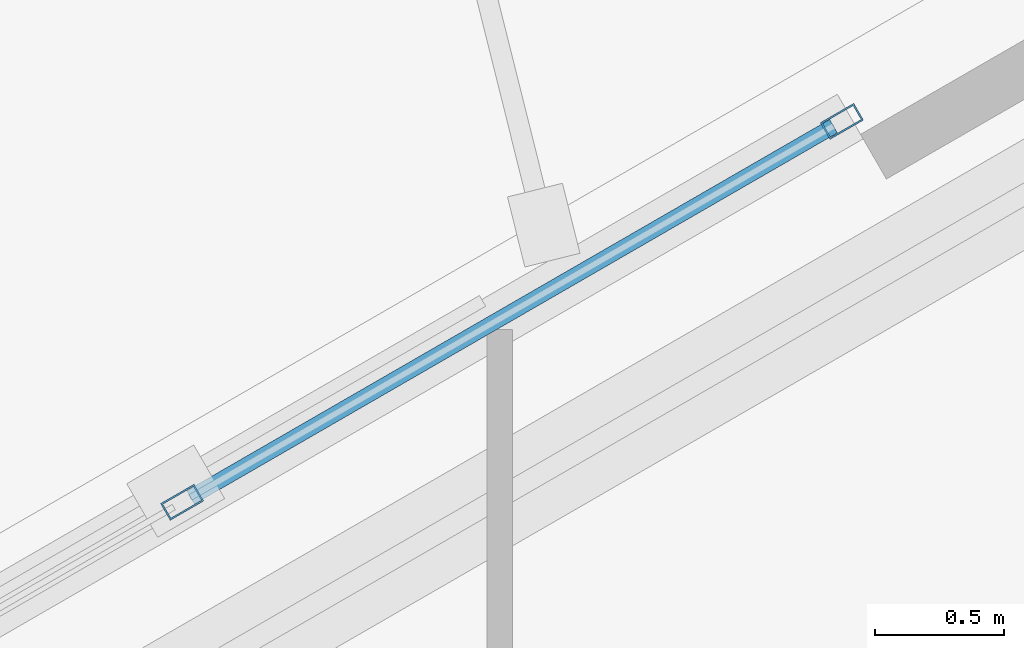
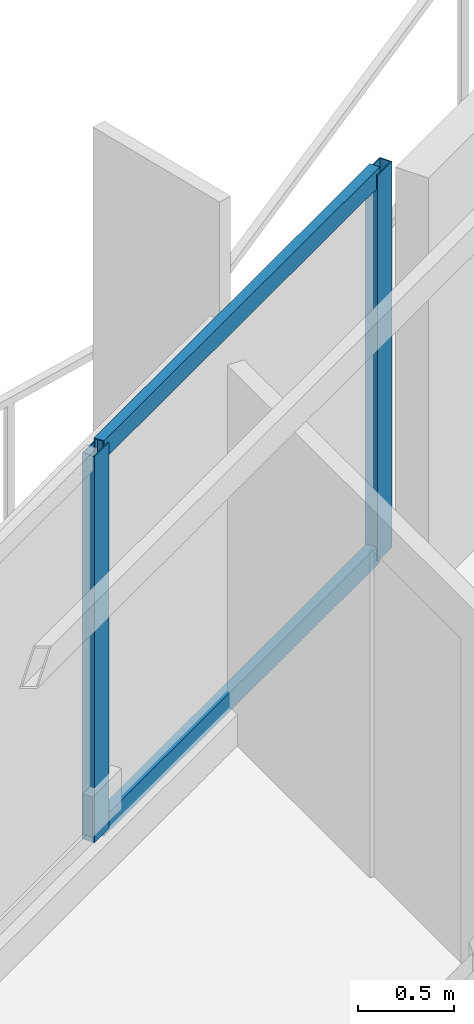
# One storey, part 9 of 18: 4 members, 1 element without a shape of its own.
"""IFC4 building model written with IfcOpenShell, lengths in metres."""

from ifc_helpers import new_model, si_unit, direction, frame, origin, origin_2d, place, context, subcontext, project, spatial, hollow_rectangle, extrude, material, layer, layer_set, material_profile, profile_set, type_object, element, aggregate, save


model = new_model("IFC4")

# Units and contexts
model_context = context("Model", 3, precision=1e-05, world=origin(), true_north=direction((0.0, 1.0)))
body_context = subcontext(model_context, "Body", "Model", "MODEL_VIEW")
ifc_project = project(units=[si_unit("LENGTHUNIT", "METRE"), si_unit("AREAUNIT", "SQUARE_METRE"), si_unit("VOLUMEUNIT", "CUBIC_METRE"), si_unit("PLANEANGLEUNIT", "RADIAN"), si_unit("MASSUNIT", "GRAM", prefix="KILO")], contexts=[model_context])

# Site, building, storey
site_placement = place(None, origin())
site = spatial("IfcSite", under=ifc_project, at=site_placement, CompositionType="ELEMENT")
building_placement = place(site_placement, origin())
building = spatial("IfcBuilding", under=site, at=building_placement, Name="Mersakhor Tower and Convention Hall", CompositionType="ELEMENT")
storey_placement = place(building_placement, frame((0.0, 0.0, 32.39990234375)))
storey = spatial("IfcBuildingStorey", under=building, at=storey_placement, Name="L08", CompositionType="ELEMENT", Elevation=32.39990234375)

# Curtain wall, members
ifc_material_1 = material(Name="Dark solar low-E aluminium curtain wall", Category="aluminium")
ifc_layer = layer(ifc_material_1, 0.159912109375)
ifc_layer_set = layer_set([ifc_layer], Name="Dark solar low-E aluminium curtain wall")
curtain_wall_type = type_object("IfcCurtainWallType", Name="CW-SYS-01", PredefinedType="USERDEFINED", material=ifc_layer_set)
curtain_wall_placement = place(storey_placement, origin())
curtain_wall = element("IfcCurtainWall", 1, at=curtain_wall_placement, inside=storey, type_object=curtain_wall_type, Name="L08 Dark-Glass Curtain Wall F1-B2", ObjectType="CURTAIN WALL", PredefinedType="USERDEFINED")
ifc_material_2 = material(Name="Anodised aluminium EN AW-6063 T6", Category="aluminium")
ifc_material_profile_1 = material_profile(ifc_material_2, hollow_rectangle(XDim=0.074951171875, YDim=0.14990234375, WallThickness=0.00634765625, at=origin_2d()), Name="RHS 150x75x6.3")
ifc_profile_set_1 = profile_set([ifc_material_profile_1], Name="Anodised aluminium EN AW-6063 T6")
member_type_1 = type_object("IfcMemberType", Name="CWM-150x75", PredefinedType="MULLION", material=ifc_profile_set_1)
member_1_placement = place(storey_placement, frame((24.167236328125, 41.107177734375, 0.2001953125), z_axis=(0.0, 0.0, 1.0), x_axis=(-0.50000344889, 0.866023412558, 0.0)))
member_1 = element("IfcMember", 2, at=member_1_placement, type_object=member_type_1, Name="CW-01 mullion 4", PredefinedType="MULLION", context=body_context, shape_type="SweptSolid", body=[
    extrude(hollow_rectangle(XDim=0.074951171875, YDim=0.14990234375, WallThickness=0.00634765625, at=origin_2d()), origin(), (0.0, 0.0, 1.0), 2.4599609375),
])
member_2_placement = place(storey_placement, frame((26.72705078125, 42.5849609375, 0.2001953125), z_axis=(0.0, 0.0, 1.0), x_axis=(-0.50000344889, 0.866023412558, 0.0)))
member_2 = element("IfcMember", 3, at=member_2_placement, type_object=member_type_1, Name="CW-01 mullion 5", PredefinedType="MULLION", context=body_context, shape_type="SweptSolid", body=[
    extrude(hollow_rectangle(XDim=0.074951171875, YDim=0.14990234375, WallThickness=0.00634765625, at=origin_2d()), origin(), (0.0, 0.0, 1.0), 2.4599609375),
])
ifc_material_3 = material(Name="Anodised aluminium EN AW-6063 T6", Category="aluminium")
ifc_material_profile_2 = material_profile(ifc_material_3, hollow_rectangle(XDim=0.06005859375, YDim=0.1201171875, WallThickness=0.0048828125, at=origin_2d()), Name="RHS 120x60x5")
ifc_profile_set_2 = profile_set([ifc_material_profile_2], Name="Anodised aluminium EN AW-6063 T6")
member_type_2 = type_object("IfcMemberType", Name="CWT-120x60", PredefinedType="USERDEFINED", material=ifc_profile_set_2)
member_3_placement = place(storey_placement, frame((24.19970703125, 41.1259765625, 0.22998046875), z_axis=(0.866023290103, 0.500003660985, 0.0), x_axis=(-0.500003660985, 0.866023290103, 0.0)))
member_3 = element("IfcMember", 4, at=member_3_placement, type_object=member_type_2, Name="CW-01 transom 4.1", ObjectType="TRANSOM", PredefinedType="USERDEFINED", context=body_context, shape_type="SweptSolid", body=[
    extrude(hollow_rectangle(XDim=0.06005859375, YDim=0.1201171875, WallThickness=0.0048828125, at=origin_2d()), origin(), (0.0, 0.0, 1.0), 2.880859375),
])
member_4_placement = place(storey_placement, frame((24.19970703125, 41.1259765625, 2.630126953125), z_axis=(0.866023290103, 0.500003660985, 0.0), x_axis=(-0.500003660985, 0.866023290103, 0.0)))
member_4 = element("IfcMember", 5, at=member_4_placement, type_object=member_type_2, Name="CW-01 transom 4.2", ObjectType="TRANSOM", PredefinedType="USERDEFINED", context=body_context, shape_type="SweptSolid", body=[
    extrude(hollow_rectangle(XDim=0.06005859375, YDim=0.1201171875, WallThickness=0.0048828125, at=origin_2d()), origin(), (0.0, 0.0, 1.0), 2.880859375),
])
aggregate(curtain_wall, [member_1, member_2, member_3, member_4])

save(model, "model.ifc")
